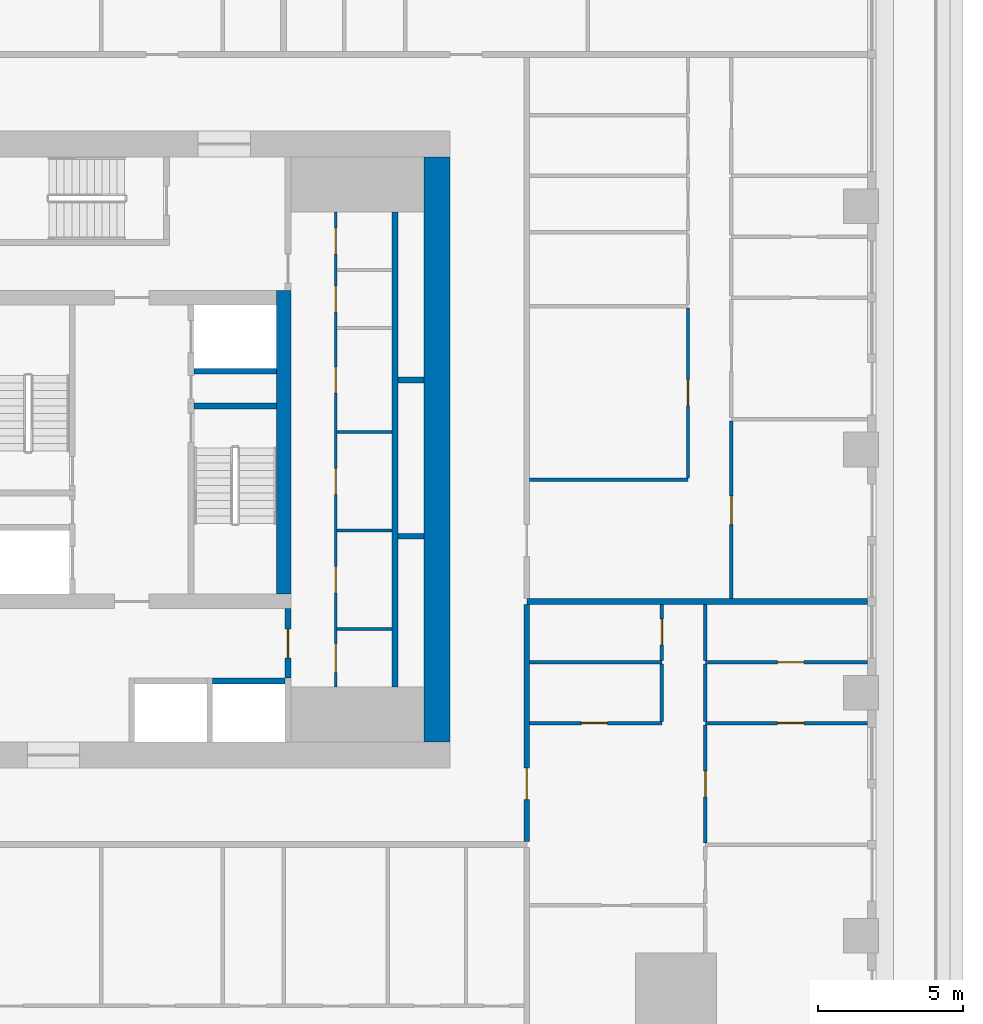
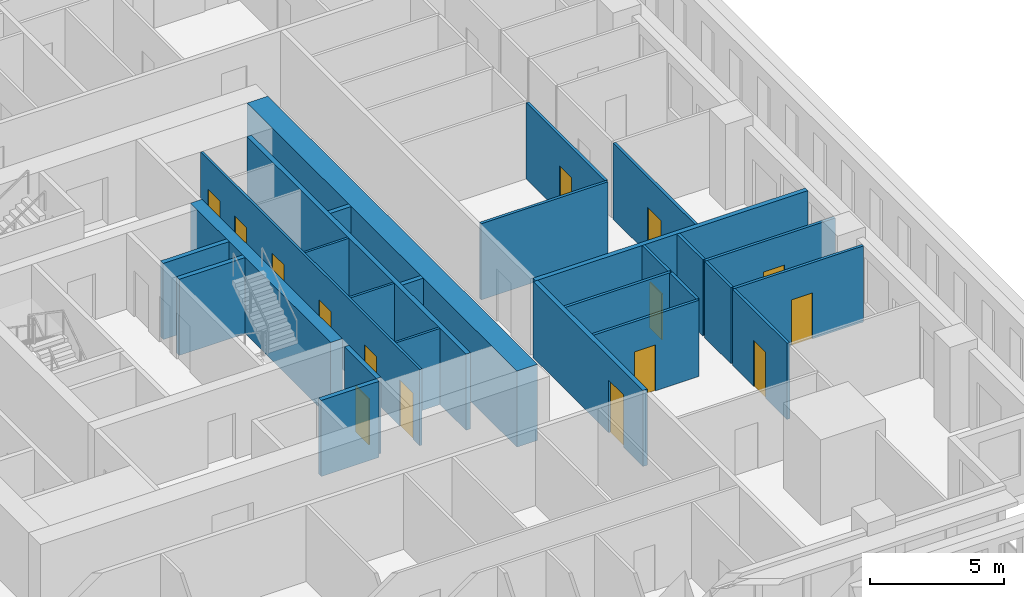
# One storey, part 5 of 14: 27 walls, 15 doors, 15 openings.
"""IFC4 building model written with IfcOpenShell, lengths in metres."""

from ifc_helpers import new_model, si_unit, direction, frame, frame_2d, origin, place, context, subcontext, project, spatial, rectangle, extrude, material, layer, layer_set, type_object, element, fill, save


model = new_model("IFC4")

# Units and contexts
model_context = context("Model", 3, precision=1e-05, world=origin(), true_north=direction((0.0, 1.0)))
body_context = subcontext(model_context, "Body", "Model", "MODEL_VIEW")
ifc_project = project(units=[si_unit("LENGTHUNIT", "METRE"), si_unit("AREAUNIT", "SQUARE_METRE"), si_unit("VOLUMEUNIT", "CUBIC_METRE"), si_unit("PLANEANGLEUNIT", "RADIAN"), si_unit("MASSUNIT", "GRAM", prefix="KILO")], contexts=[model_context])

# Site, building, storey
site_placement = place(None, origin())
site = spatial("IfcSite", under=ifc_project, at=site_placement, CompositionType="ELEMENT")
building_placement = place(site_placement, origin())
building = spatial("IfcBuilding", under=site, at=building_placement, Name="Khepri Terraces", CompositionType="ELEMENT")
storey_placement = place(building_placement, frame((0.0, 0.0, 102.60009765625)))
storey = spatial("IfcBuildingStorey", under=building, at=storey_placement, Name="L24", CompositionType="ELEMENT", Elevation=102.60009765625)

# Walls
ifc_material_1 = material(Name="Concrete C70/85", Category="concrete")
ifc_layer_1 = layer(ifc_material_1, 0.199951171875, Name="Concrete C70/85", Category="concrete")
ifc_layer_set_1 = layer_set([ifc_layer_1], Name="Concrete C70/85")
wall_type_1 = type_object("IfcWallType", Name="Core wall 200 C70/85", PredefinedType="SHEAR", material=ifc_layer_set_1)
wall_1_placement = place(storey_placement, frame((2.14990234375, 1.5, 0.0), z_axis=(0.0, 0.0, 1.0), x_axis=(1.0, 0.0, 0.0)))
element("IfcWall", 1, at=wall_1_placement, inside=storey, type_object=wall_type_1, Name="Core wall ST04 L24", PredefinedType="SHEAR", context=body_context, shape_type="SweptSolid", body=[
    extrude(rectangle(XDim=2.85009765625, YDim=0.199951171875, at=frame_2d((1.425048828125, 0.0))), origin(), (0.0, 0.0, 1.0), 3.47998046875),
])
wall_2_placement = place(storey_placement, frame((9.10009765625, -8.199951171875, 0.0), z_axis=(0.0, 0.0, 1.0), x_axis=(0.0, 1.0, 0.0)))
element("IfcWall", 2, at=wall_2_placement, inside=storey, type_object=wall_type_1, Name="Core wall SH05 L24", PredefinedType="SHEAR", context=body_context, shape_type="SweptSolid", body=[
    extrude(rectangle(XDim=16.39990234375, YDim=0.199951171875, at=frame_2d((8.199951171875, 0.0))), origin(), (0.0, 0.0, 1.0), 3.47998046875),
])
wall_3_placement = place(storey_placement, frame((2.800048828125, -8.0, 0.0), z_axis=(0.0, 0.0, 1.0), x_axis=(1.0, 0.0, 0.0)))
element("IfcWall", 3, at=wall_3_placement, inside=storey, type_object=wall_type_1, Name="Core wall SH07 L24", PredefinedType="SHEAR", context=body_context, shape_type="SweptSolid", body=[
    extrude(rectangle(XDim=2.5, YDim=0.199951171875, at=frame_2d((1.25, 0.0))), origin(), (0.0, 0.0, 1.0), 3.47998046875),
])
for number, where, z_axis, x_axis, name in (
    (4, (9.199951171875, -3.0, 0.0), (0.0, 0.0, 1.0), (1.0, 0.0, 0.0), "Core wall SH11 L24"),
    (5, (9.199951171875, 2.39990234375, 0.0), (0.0, 0.0, 1.0), (1.0, 0.0, 0.0), "Core wall SH16 L24"),
):
    element("IfcWall", number, at=place(storey_placement, frame(where, z_axis=z_axis, x_axis=x_axis)), inside=storey, type_object=wall_type_1, Name=name, PredefinedType="SHEAR", context=body_context, shape_type="SweptSolid", body=[
        extrude(rectangle(XDim=0.900146484375, YDim=0.199951171875, at=frame_2d((0.4501953125, 0.0))), origin(), (0.0, 0.0, 1.0), 3.47998046875),
    ])
wall_4_placement = place(storey_placement, frame((2.14990234375, 2.699951171875, 0.0), z_axis=(0.0, 0.0, 1.0), x_axis=(1.0, 0.0, 0.0)))
element("IfcWall", 6, at=wall_4_placement, inside=storey, type_object=wall_type_1, Name="Core wall SH18 L24", PredefinedType="SHEAR", context=body_context, shape_type="SweptSolid", body=[
    extrude(rectangle(XDim=2.85009765625, YDim=0.199951171875, at=frame_2d((1.425048828125, 0.0))), origin(), (0.0, 0.0, 1.0), 3.47998046875),
])
ifc_layer_2 = layer(ifc_material_1, 0.5, Name="Concrete C70/85", Category="concrete")
ifc_layer_set_2 = layer_set([ifc_layer_2], Name="Concrete C70/85")
wall_type_2 = type_object("IfcWallType", Name="Core wall 500 C70/85", PredefinedType="SHEAR", material=ifc_layer_set_2)
wall_5_placement = place(storey_placement, frame((5.25, -5.0, 0.0), z_axis=(0.0, 0.0, 1.0), x_axis=(0.0, 1.0, 0.0)))
element("IfcWall", 7, at=wall_5_placement, inside=storey, type_object=wall_type_2, Name="Core wall BX03 L24", PredefinedType="SHEAR", context=body_context, shape_type="SweptSolid", body=[
    extrude(rectangle(XDim=10.5, YDim=0.5, at=frame_2d((5.25, 0.0))), origin(), (0.0, 0.0, 1.0), 3.47998046875),
])
ifc_layer_3 = layer(ifc_material_1, 0.89990234375, Name="Concrete C70/85", Category="concrete")
ifc_layer_set_3 = layer_set([ifc_layer_3], Name="Concrete C70/85")
wall_type_3 = type_object("IfcWallType", Name="Core wall 900 C70/85", PredefinedType="SHEAR", material=ifc_layer_set_3)
wall_6_placement = place(storey_placement, frame((10.550048828125, -10.10009765625, 0.0), z_axis=(0.0, 0.0, 1.0), x_axis=(0.0, 1.0, 0.0)))
element("IfcWall", 8, at=wall_6_placement, inside=storey, type_object=wall_type_3, Name="Core wall OW-E L24", PredefinedType="SHEAR", context=body_context, shape_type="SweptSolid", body=[
    extrude(rectangle(XDim=20.2001953125, YDim=0.89990234375, at=frame_2d((10.10009765625, 0.0))), origin(), (0.0, 0.0, 1.0), 3.47998046875),
])

# Wall, openings, doors
ifc_material_2 = material(Name="Fire-rated gypsum board partition")
ifc_layer_4 = layer(ifc_material_2, 0.10009765625, Name="Fire-rated gypsum board partition")
ifc_layer_set_4 = layer_set([ifc_layer_4], Name="Fire-rated gypsum board partition")
wall_type_4 = type_object("IfcWallType", Name="WL-CORE-PART-100", PredefinedType="PARTITIONING", material=ifc_layer_set_4)
wall_7_placement = place(storey_placement, frame((7.050048828125, -8.199951171875, 0.0), z_axis=(0.0, 0.0, 1.0), x_axis=(0.0, 1.0, 0.0)))
wall_7 = element("IfcWall", 9, at=wall_7_placement, inside=storey, type_object=wall_type_4, Name="Core partition PT02 L24", PredefinedType="PARTITIONING", context=body_context, shape_type="SweptSolid", body=[
    extrude(rectangle(XDim=16.39990234375, YDim=0.10009765625, at=frame_2d((8.199951171875, 0.0))), origin(), (0.0, 0.0, 1.0), 3.47998046875),
])
opening_1_placement = place(wall_7_placement, frame((0.5, 0.0, 0.0)))
opening_1 = element("IfcOpeningElement", 10, at=opening_1_placement, cuts=wall_7, Name="Opening L24-C22", PredefinedType="OPENING", context=body_context, shape_type="SweptSolid", body=[
    extrude(rectangle(XDim=1.0, YDim=2.10009765625, at=frame_2d((0.5, 1.050048828125))), frame((0.0, 0.06005859375, 0.0), z_axis=(0.0, -1.0, 0.0), x_axis=(1.0, 0.0, 0.0)), (0.0, 0.0, 1.0), 0.1201171875),
])
opening_2_placement = place(wall_7_placement, frame((3.25, 0.0, 0.0)))
opening_2 = element("IfcOpeningElement", 11, at=opening_2_placement, cuts=wall_7, Name="Opening L24-C23", PredefinedType="OPENING", context=body_context, shape_type="SweptSolid", body=[
    extrude(rectangle(XDim=0.89990234375, YDim=2.10009765625, at=frame_2d((0.449951171875, 1.050048828125))), frame((0.0, 0.06005859375, 0.0), z_axis=(0.0, -1.0, 0.0), x_axis=(1.0, 0.0, 0.0)), (0.0, 0.0, 1.0), 0.1201171875),
])
opening_3_placement = place(wall_7_placement, frame((6.64990234375, 0.0, 0.0)))
opening_3 = element("IfcOpeningElement", 12, at=opening_3_placement, cuts=wall_7, Name="Opening L24-C24", PredefinedType="OPENING", context=body_context, shape_type="SweptSolid", body=[
    extrude(rectangle(XDim=0.89990234375, YDim=2.10009765625, at=frame_2d((0.449951171875, 1.050048828125))), frame((0.0, 0.06005859375, 0.0), z_axis=(0.0, -1.0, 0.0), x_axis=(1.0, 0.0, 0.0)), (0.0, 0.0, 1.0), 0.1201171875),
])
opening_4_placement = place(wall_7_placement, frame((10.14990234375, 0.0, 0.0)))
opening_4 = element("IfcOpeningElement", 13, at=opening_4_placement, cuts=wall_7, Name="Opening L24-C25", PredefinedType="OPENING", context=body_context, shape_type="SweptSolid", body=[
    extrude(rectangle(XDim=0.89990234375, YDim=2.10009765625, at=frame_2d((0.449951171875, 1.050048828125))), frame((0.0, 0.06005859375, 0.0), z_axis=(0.0, -1.0, 0.0), x_axis=(1.0, 0.0, 0.0)), (0.0, 0.0, 1.0), 0.1201171875),
])
opening_5_placement = place(wall_7_placement, frame((12.949951171875, 0.0, 0.0)))
opening_5 = element("IfcOpeningElement", 14, at=opening_5_placement, cuts=wall_7, Name="Opening L24-C26", PredefinedType="OPENING", context=body_context, shape_type="SweptSolid", body=[
    extrude(rectangle(XDim=0.89990234375, YDim=2.10009765625, at=frame_2d((0.449951171875, 1.050048828125))), frame((0.0, 0.06005859375, 0.0), z_axis=(0.0, -1.0, 0.0), x_axis=(1.0, 0.0, 0.0)), (0.0, 0.0, 1.0), 0.1201171875),
])
opening_6_placement = place(wall_7_placement, frame((14.949951171875, 0.0, 0.0)))
opening_6 = element("IfcOpeningElement", 15, at=opening_6_placement, cuts=wall_7, Name="Opening L24-C27", PredefinedType="OPENING", context=body_context, shape_type="SweptSolid", body=[
    extrude(rectangle(XDim=0.89990234375, YDim=2.10009765625, at=frame_2d((0.449951171875, 1.050048828125))), frame((0.0, 0.06005859375, 0.0), z_axis=(0.0, -1.0, 0.0), x_axis=(1.0, 0.0, 0.0)), (0.0, 0.0, 1.0), 0.1201171875),
])
ifc_material_3 = material(Name="Painted steel", Category="steel")
door_type_1 = type_object("IfcDoorType", Name="DR-CORE-SERVICE-900", OperationType="NOTDEFINED", PredefinedType="DOOR", material=ifc_material_3)
door_1_placement = place(opening_2_placement, frame((0.89990234375, 0.0, 0.0), z_axis=(0.0, 0.0, 1.0), x_axis=(-1.0, 0.0, 0.0)))
door_1 = element("IfcDoor", 16, at=door_1_placement, inside=storey, type_object=door_type_1, Name="Service room door L24-C23", OperationType="SINGLE_SWING_RIGHT", OverallHeight=2.10009765625, OverallWidth=0.89990234375, PredefinedType="DOOR", context=body_context, shape_type="SweptSolid", body=[
    extrude(rectangle(XDim=0.89990234375, YDim=2.10009765625, at=frame_2d((0.449951171875, 1.050048828125))), frame((0.0, 0.02490234375, 0.0), z_axis=(0.0, -1.0, 0.0), x_axis=(1.0, 0.0, 0.0)), (0.0, 0.0, 1.0), 0.050048828125),
])
fill(opening_2, door_1)
door_2_placement = place(opening_3_placement, frame((0.89990234375, 0.0, 0.0), z_axis=(0.0, 0.0, 1.0), x_axis=(-1.0, 0.0, 0.0)))
door_2 = element("IfcDoor", 17, at=door_2_placement, inside=storey, type_object=door_type_1, Name="Service room door L24-C24", OperationType="SINGLE_SWING_RIGHT", OverallHeight=2.10009765625, OverallWidth=0.89990234375, PredefinedType="DOOR", context=body_context, shape_type="SweptSolid", body=[
    extrude(rectangle(XDim=0.89990234375, YDim=2.10009765625, at=frame_2d((0.449951171875, 1.050048828125))), frame((0.0, 0.02490234375, 0.0), z_axis=(0.0, -1.0, 0.0), x_axis=(1.0, 0.0, 0.0)), (0.0, 0.0, 1.0), 0.050048828125),
])
fill(opening_3, door_2)
door_3_placement = place(opening_4_placement, frame((0.89990234375, 0.0, 0.0), z_axis=(0.0, 0.0, 1.0), x_axis=(-1.0, 0.0, 0.0)))
door_3 = element("IfcDoor", 18, at=door_3_placement, inside=storey, type_object=door_type_1, Name="Service room door L24-C25", OperationType="SINGLE_SWING_LEFT", OverallHeight=2.10009765625, OverallWidth=0.89990234375, PredefinedType="DOOR", context=body_context, shape_type="SweptSolid", body=[
    extrude(rectangle(XDim=0.89990234375, YDim=2.10009765625, at=frame_2d((0.449951171875, 1.050048828125))), frame((0.0, 0.02490234375, 0.0), z_axis=(0.0, -1.0, 0.0), x_axis=(1.0, 0.0, 0.0)), (0.0, 0.0, 1.0), 0.050048828125),
])
fill(opening_4, door_3)
door_4_placement = place(opening_5_placement, frame((0.89990234375, 0.0, 0.0), z_axis=(0.0, 0.0, 1.0), x_axis=(-1.0, 0.0, 0.0)))
door_4 = element("IfcDoor", 19, at=door_4_placement, inside=storey, type_object=door_type_1, Name="Service room door L24-C26", OperationType="SINGLE_SWING_LEFT", OverallHeight=2.10009765625, OverallWidth=0.89990234375, PredefinedType="DOOR", context=body_context, shape_type="SweptSolid", body=[
    extrude(rectangle(XDim=0.89990234375, YDim=2.10009765625, at=frame_2d((0.449951171875, 1.050048828125))), frame((0.0, 0.02490234375, 0.0), z_axis=(0.0, -1.0, 0.0), x_axis=(1.0, 0.0, 0.0)), (0.0, 0.0, 1.0), 0.050048828125),
])
fill(opening_5, door_4)
door_5_placement = place(opening_6_placement, frame((0.89990234375, 0.0, 0.0), z_axis=(0.0, 0.0, 1.0), x_axis=(-1.0, 0.0, 0.0)))
door_5 = element("IfcDoor", 20, at=door_5_placement, inside=storey, type_object=door_type_1, Name="Service room door L24-C27", OperationType="SINGLE_SWING_LEFT", OverallHeight=2.10009765625, OverallWidth=0.89990234375, PredefinedType="DOOR", context=body_context, shape_type="SweptSolid", body=[
    extrude(rectangle(XDim=0.89990234375, YDim=2.10009765625, at=frame_2d((0.449951171875, 1.050048828125))), frame((0.0, 0.02490234375, 0.0), z_axis=(0.0, -1.0, 0.0), x_axis=(1.0, 0.0, 0.0)), (0.0, 0.0, 1.0), 0.050048828125),
])
fill(opening_6, door_5)
ifc_material_4 = material(Name="Timber veneer", Category="wood")
door_type_2 = type_object("IfcDoorType", Name="DR-CORE-WC-1000", OperationType="NOTDEFINED", PredefinedType="DOOR", material=ifc_material_4)
door_6_placement = place(opening_1_placement, frame((1.0, 0.0, 0.0), z_axis=(0.0, 0.0, 1.0), x_axis=(-1.0, 0.0, 0.0)))
door_6 = element("IfcDoor", 21, at=door_6_placement, inside=storey, type_object=door_type_2, Name="WC door L24-C22", OperationType="SINGLE_SWING_RIGHT", OverallHeight=2.10009765625, OverallWidth=1.0, PredefinedType="DOOR", context=body_context, shape_type="SweptSolid", body=[
    extrude(rectangle(XDim=1.0, YDim=2.10009765625, at=frame_2d((0.5, 1.050048828125))), frame((0.0, 0.02490234375, 0.0), z_axis=(0.0, -1.0, 0.0), x_axis=(1.0, 0.0, 0.0)), (0.0, 0.0, 1.0), 0.050048828125),
])
fill(opening_1, door_6)

# Walls
for number, where, z_axis, x_axis, name in (
    (22, (7.10009765625, -6.199951171875, 0.0), (0.0, 0.0, 1.0), (1.0, 0.0, 0.0), "Core partition PT04 L24"),
    (23, (7.10009765625, -2.800048828125, 0.0), (0.0, 0.0, 1.0), (1.0, 0.0, 0.0), "Core partition PT05 L24"),
    (24, (7.10009765625, 0.60009765625, 0.0), (0.0, 0.0, 1.0), (1.0, 0.0, 0.0), "Core partition PT06 L24"),
):
    element("IfcWall", number, at=place(storey_placement, frame(where, z_axis=z_axis, x_axis=x_axis)), inside=storey, type_object=wall_type_4, Name=name, PredefinedType="PARTITIONING", context=body_context, shape_type="SweptSolid", body=[
        extrude(rectangle(XDim=1.89990234375, YDim=0.10009765625, at=frame_2d((0.949951171875, 0.0))), origin(), (0.0, 0.0, 1.0), 3.47998046875),
    ])

# Wall, opening, door
ifc_layer_5 = layer(ifc_material_2, 0.199951171875, Name="Fire-rated gypsum board partition")
ifc_layer_set_5 = layer_set([ifc_layer_5], Name="Fire-rated gypsum board partition")
wall_type_5 = type_object("IfcWallType", Name="WL-CORE-PART-200", PredefinedType="PARTITIONING", material=ifc_layer_set_5)
wall_8_placement = place(storey_placement, frame((5.39990234375, -7.89990234375, 0.0), z_axis=(0.0, 0.0, 1.0), x_axis=(0.0, 1.0, 0.0)))
wall_8 = element("IfcWall", 25, at=wall_8_placement, inside=storey, type_object=wall_type_5, Name="Core partition PT03 L24", PredefinedType="PARTITIONING", context=body_context, shape_type="SweptSolid", body=[
    extrude(rectangle(XDim=2.39990234375, YDim=0.199951171875, at=frame_2d((1.199951171875, 0.0))), origin(), (0.0, 0.0, 1.0), 3.47998046875),
])
opening_7_placement = place(wall_8_placement, frame((0.699951171875, 0.0, 0.0)))
opening_7 = element("IfcOpeningElement", 26, at=opening_7_placement, cuts=wall_8, Name="Opening L24-C19", PredefinedType="OPENING", context=body_context, shape_type="SweptSolid", body=[
    extrude(rectangle(XDim=1.0, YDim=2.10009765625, at=frame_2d((0.5, 1.050048828125))), frame((0.0, 0.10986328125, 0.0), z_axis=(0.0, -1.0, 0.0), x_axis=(1.0, 0.0, 0.0)), (0.0, 0.0, 1.0), 0.219970703125),
])
door_type_3 = type_object("IfcDoorType", Name="DR-CORE-LOBBY-1000", OperationType="NOTDEFINED", PredefinedType="DOOR", material=ifc_material_3)
door_7_placement = place(opening_7_placement, origin())
door_7 = element("IfcDoor", 27, at=door_7_placement, inside=storey, type_object=door_type_3, Name="Lobby door L24-C19", OperationType="SINGLE_SWING_RIGHT", OverallHeight=2.10009765625, OverallWidth=1.0, PredefinedType="DOOR", context=body_context, shape_type="SweptSolid", body=[
    extrude(rectangle(XDim=1.0, YDim=2.10009765625, at=frame_2d((0.5, 1.050048828125))), frame((0.0, 0.02490234375, 0.0), z_axis=(0.0, -1.0, 0.0), x_axis=(1.0, 0.0, 0.0)), (0.0, 0.0, 1.0), 0.050048828125),
])
fill(opening_7, door_7)

ifc_material_5 = material(Name="Fire-rated gypsum plasterboard partition, mineral wool")
ifc_layer_6 = layer(ifc_material_5, 0.199951171875, Name="Fire-rated gypsum plasterboard partition, mineral wool")
ifc_layer_set_6 = layer_set([ifc_layer_6], Name="Fire-rated gypsum plasterboard partition, mineral wool")
wall_type_6 = type_object("IfcWallType", Name="WL-CORR-200", PredefinedType="PARTITIONING", material=ifc_layer_set_6)
wall_9_placement = place(storey_placement, frame((13.64990234375, -13.550048828125, 0.0), z_axis=(0.0, 0.0, 1.0), x_axis=(0.0, 1.0, 0.0)))
wall_9 = element("IfcWall", 28, at=wall_9_placement, inside=storey, type_object=wall_type_6, Name="Partition P-027 L24", PredefinedType="PARTITIONING", context=body_context, shape_type="SweptSolid", body=[
    extrude(rectangle(XDim=8.199951171875, YDim=0.199951171875, at=frame_2d((4.10009765625, 0.0))), origin(), (0.0, 0.0, 1.0), 3.47998046875),
])
opening_8_placement = place(wall_9_placement, frame((1.449951171875, 0.0, 0.0)))
opening_8 = element("IfcOpeningElement", 29, at=opening_8_placement, cuts=wall_9, Name="Opening D1", PredefinedType="OPENING", context=body_context, shape_type="SweptSolid", body=[
    extrude(rectangle(XDim=1.10009765625, YDim=2.39990234375, at=frame_2d((0.550048828125, 1.199951171875))), frame((0.0, 0.10986328125, 0.0), z_axis=(0.0, -1.0, 0.0), x_axis=(1.0, 0.0, 0.0)), (0.0, 0.0, 1.0), 0.219970703125),
])
ifc_material_6 = material(Name="Solid-core timber door leaf, flat entrance door", Category="wood")
door_type_4 = type_object("IfcDoorType", Name="DR-ENT-1100", OperationType="NOTDEFINED", PredefinedType="DOOR", material=ifc_material_6)
door_8_placement = place(opening_8_placement, frame((1.10009765625, 0.0, 0.0), z_axis=(0.0, 0.0, 1.0), x_axis=(-1.0, 0.0, 0.0)))
door_8 = element("IfcDoor", 30, at=door_8_placement, inside=storey, type_object=door_type_4, Name="Flat B1 entrance door", OperationType="SINGLE_SWING_RIGHT", OverallHeight=2.39990234375, OverallWidth=1.10009765625, PredefinedType="DOOR", context=body_context, shape_type="SweptSolid", body=[
    extrude(rectangle(XDim=1.10009765625, YDim=2.39990234375, at=frame_2d((0.550048828125, 1.199951171875))), frame((0.0, 0.02490234375, 0.0), z_axis=(0.0, -1.0, 0.0), x_axis=(1.0, 0.0, 0.0)), (0.0, 0.0, 1.0), 0.050048828125),
])
fill(opening_8, door_8)

# Wall
wall_10_placement = place(storey_placement, frame((13.64990234375, -5.25, 0.0), z_axis=(0.0, 0.0, 1.0), x_axis=(1.0, 0.0, 0.0)))
element("IfcWall", 31, at=wall_10_placement, inside=storey, type_object=wall_type_6, Name="Partition P-041 L24", PredefinedType="PARTITIONING", context=body_context, shape_type="SweptSolid", body=[
    extrude(rectangle(XDim=11.77001953125, YDim=0.199951171875, at=frame_2d((5.885009765625, 0.0))), origin(), (0.0, 0.0, 1.0), 3.47998046875),
])

# Wall, opening, door
ifc_material_7 = material(Name="Gypsum plasterboard partition")
ifc_layer_7 = layer(ifc_material_7, 0.1201171875, Name="Gypsum plasterboard partition")
ifc_layer_set_7 = layer_set([ifc_layer_7], Name="Gypsum plasterboard partition")
wall_type_7 = type_object("IfcWallType", Name="WL-PART-120", PredefinedType="PARTITIONING", material=ifc_layer_set_7)
wall_11_placement = place(storey_placement, frame((19.820068359375, -13.590087890625, 0.0), z_axis=(0.0, 0.0, 1.0), x_axis=(0.0, 1.0, 0.0)))
wall_11 = element("IfcWall", 32, at=wall_11_placement, inside=storey, type_object=wall_type_7, Name="Partition P-023 L24", PredefinedType="PARTITIONING", context=body_context, shape_type="SweptSolid", body=[
    extrude(rectangle(XDim=4.080078125, YDim=0.1201171875, at=frame_2d((2.0400390625, 0.0))), origin(), (0.0, 0.0, 1.0), 3.47998046875),
])
opening_9_placement = place(wall_11_placement, frame((1.590087890625, 0.0, 0.0)))
opening_9 = element("IfcOpeningElement", 33, at=opening_9_placement, cuts=wall_11, Name="Opening D3", PredefinedType="OPENING", context=body_context, shape_type="SweptSolid", body=[
    extrude(rectangle(XDim=0.89990234375, YDim=2.10009765625, at=frame_2d((0.449951171875, 1.050048828125))), frame((0.0, 0.070068359375, 0.0), z_axis=(0.0, -1.0, 0.0), x_axis=(1.0, 0.0, 0.0)), (0.0, 0.0, 1.0), 0.14013671875),
])
ifc_material_8 = material(Name="Timber door leaf", Category="wood")
door_type_5 = type_object("IfcDoorType", Name="DR-INT-900", OperationType="NOTDEFINED", PredefinedType="DOOR", material=ifc_material_8)
door_9_placement = place(opening_9_placement, frame((0.89990234375, 0.0, 0.0), z_axis=(0.0, 0.0, 1.0), x_axis=(-1.0, 0.0, 0.0)))
door_9 = element("IfcDoor", 34, at=door_9_placement, inside=storey, type_object=door_type_5, Name="Door Master Bedroom", OperationType="SINGLE_SWING_RIGHT", OverallHeight=2.10009765625, OverallWidth=0.89990234375, PredefinedType="DOOR", context=body_context, shape_type="SweptSolid", body=[
    extrude(rectangle(XDim=0.89990234375, YDim=2.10009765625, at=frame_2d((0.449951171875, 1.050048828125))), frame((0.0, 0.02490234375, 0.0), z_axis=(0.0, -1.0, 0.0), x_axis=(1.0, 0.0, 0.0)), (0.0, 0.0, 1.0), 0.050048828125),
])
fill(opening_9, door_9)

wall_12_placement = place(storey_placement, frame((13.75, -9.449951171875, 0.0), z_axis=(0.0, 0.0, 1.0), x_axis=(1.0, 0.0, 0.0)))
wall_12 = element("IfcWall", 35, at=wall_12_placement, inside=storey, type_object=wall_type_7, Name="Partition P-032 L24", PredefinedType="PARTITIONING", context=body_context, shape_type="SweptSolid", body=[
    extrude(rectangle(XDim=4.570068359375, YDim=0.1201171875, at=frame_2d((2.28515625, 0.0))), origin(), (0.0, 0.0, 1.0), 3.47998046875),
])
opening_10_placement = place(wall_12_placement, frame((1.784912109375, 0.0, 0.0)))
opening_10 = element("IfcOpeningElement", 36, at=opening_10_placement, cuts=wall_12, Name="Opening D4", PredefinedType="OPENING", context=body_context, shape_type="SweptSolid", body=[
    extrude(rectangle(XDim=0.89990234375, YDim=2.10009765625, at=frame_2d((0.449951171875, 1.050048828125))), frame((0.0, 0.070068359375, 0.0), z_axis=(0.0, -1.0, 0.0), x_axis=(1.0, 0.0, 0.0)), (0.0, 0.0, 1.0), 0.14013671875),
])
ifc_material_9 = material(Name="Timber door leaf, moisture resistant", Category="wood")
door_type_6 = type_object("IfcDoorType", Name="DR-WET-900", OperationType="NOTDEFINED", PredefinedType="DOOR", material=ifc_material_9)
door_10_placement = place(opening_10_placement, origin())
door_10 = element("IfcDoor", 37, at=door_10_placement, inside=storey, type_object=door_type_6, Name="Door Guest Bathroom", OperationType="SINGLE_SWING_LEFT", OverallHeight=2.10009765625, OverallWidth=0.89990234375, PredefinedType="DOOR", context=body_context, shape_type="SweptSolid", body=[
    extrude(rectangle(XDim=0.89990234375, YDim=2.10009765625, at=frame_2d((0.449951171875, 1.050048828125))), frame((0.0, 0.02490234375, 0.0), z_axis=(0.0, -1.0, 0.0), x_axis=(1.0, 0.0, 0.0)), (0.0, 0.0, 1.0), 0.050048828125),
])
fill(opening_10, door_10)

wall_13_placement = place(storey_placement, frame((19.820068359375, -9.449951171875, 0.0), z_axis=(0.0, 0.0, 1.0), x_axis=(1.0, 0.0, 0.0)))
wall_13 = element("IfcWall", 38, at=wall_13_placement, inside=storey, type_object=wall_type_7, Name="Partition P-033 L24", PredefinedType="PARTITIONING", context=body_context, shape_type="SweptSolid", body=[
    extrude(rectangle(XDim=5.599853515625, YDim=0.1201171875, at=frame_2d((2.7998046875, 0.0))), origin(), (0.0, 0.0, 1.0), 3.47998046875),
])
opening_11_placement = place(wall_13_placement, frame((2.5, 0.0, 0.0)))
opening_11 = element("IfcOpeningElement", 39, at=opening_11_placement, cuts=wall_13, Name="Opening D3", PredefinedType="OPENING", context=body_context, shape_type="SweptSolid", body=[
    extrude(rectangle(XDim=0.89990234375, YDim=2.10009765625, at=frame_2d((0.449951171875, 1.050048828125))), frame((0.0, 0.070068359375, 0.0), z_axis=(0.0, -1.0, 0.0), x_axis=(1.0, 0.0, 0.0)), (0.0, 0.0, 1.0), 0.14013671875),
])
door_11_placement = place(opening_11_placement, origin())
door_11 = element("IfcDoor", 40, at=door_11_placement, inside=storey, type_object=door_type_5, Name="Door Dressing Room", OperationType="SINGLE_SWING_RIGHT", OverallHeight=2.10009765625, OverallWidth=0.89990234375, PredefinedType="DOOR", context=body_context, shape_type="SweptSolid", body=[
    extrude(rectangle(XDim=0.89990234375, YDim=2.10009765625, at=frame_2d((0.449951171875, 1.050048828125))), frame((0.0, 0.02490234375, 0.0), z_axis=(0.0, -1.0, 0.0), x_axis=(1.0, 0.0, 0.0)), (0.0, 0.0, 1.0), 0.050048828125),
])
fill(opening_11, door_11)

# Walls
for number, where, z_axis, x_axis, name in (
    (41, (18.320068359375, -9.389892578125, 0.0), (0.0, 0.0, 1.0), (0.0, 1.0, 0.0), "Partition P-035 L24"),
    (42, (19.820068359375, -9.389892578125, 0.0), (0.0, 0.0, 1.0), (0.0, 1.0, 0.0), "Partition P-036 L24"),
):
    element("IfcWall", number, at=place(storey_placement, frame(where, z_axis=z_axis, x_axis=x_axis)), inside=storey, type_object=wall_type_7, Name=name, PredefinedType="PARTITIONING", context=body_context, shape_type="SweptSolid", body=[
        extrude(rectangle(XDim=1.97998046875, YDim=0.1201171875, at=frame_2d((0.989990234375, 0.0))), origin(), (0.0, 0.0, 1.0), 3.47998046875),
    ])
wall_14_placement = place(storey_placement, frame((13.75, -7.35009765625, 0.0), z_axis=(0.0, 0.0, 1.0), x_axis=(1.0, 0.0, 0.0)))
element("IfcWall", 43, at=wall_14_placement, inside=storey, type_object=wall_type_7, Name="Partition P-037 L24", PredefinedType="PARTITIONING", context=body_context, shape_type="SweptSolid", body=[
    extrude(rectangle(XDim=4.570068359375, YDim=0.1201171875, at=frame_2d((2.28515625, 0.0))), origin(), (0.0, 0.0, 1.0), 3.47998046875),
])

# Wall, opening, door
wall_15_placement = place(storey_placement, frame((19.820068359375, -7.35009765625, 0.0), z_axis=(0.0, 0.0, 1.0), x_axis=(1.0, 0.0, 0.0)))
wall_15 = element("IfcWall", 44, at=wall_15_placement, inside=storey, type_object=wall_type_7, Name="Partition P-038 L24", PredefinedType="PARTITIONING", context=body_context, shape_type="SweptSolid", body=[
    extrude(rectangle(XDim=5.599853515625, YDim=0.1201171875, at=frame_2d((2.7998046875, 0.0))), origin(), (0.0, 0.0, 1.0), 3.47998046875),
])
opening_12_placement = place(wall_15_placement, frame((2.5, 0.0, 0.0)))
opening_12 = element("IfcOpeningElement", 45, at=opening_12_placement, cuts=wall_15, Name="Opening D4", PredefinedType="OPENING", context=body_context, shape_type="SweptSolid", body=[
    extrude(rectangle(XDim=0.89990234375, YDim=2.10009765625, at=frame_2d((0.449951171875, 1.050048828125))), frame((0.0, 0.070068359375, 0.0), z_axis=(0.0, -1.0, 0.0), x_axis=(1.0, 0.0, 0.0)), (0.0, 0.0, 1.0), 0.14013671875),
])
door_12_placement = place(opening_12_placement, origin())
door_12 = element("IfcDoor", 46, at=door_12_placement, inside=storey, type_object=door_type_6, Name="Door Bathroom", OperationType="SINGLE_SWING_RIGHT", OverallHeight=2.10009765625, OverallWidth=0.89990234375, PredefinedType="DOOR", context=body_context, shape_type="SweptSolid", body=[
    extrude(rectangle(XDim=0.89990234375, YDim=2.10009765625, at=frame_2d((0.449951171875, 1.050048828125))), frame((0.0, 0.02490234375, 0.0), z_axis=(0.0, -1.0, 0.0), x_axis=(1.0, 0.0, 0.0)), (0.0, 0.0, 1.0), 0.050048828125),
])
fill(opening_12, door_12)

wall_16_placement = place(storey_placement, frame((18.320068359375, -7.2900390625, 0.0), z_axis=(0.0, 0.0, 1.0), x_axis=(0.0, 1.0, 0.0)))
wall_16 = element("IfcWall", 47, at=wall_16_placement, inside=storey, type_object=wall_type_7, Name="Partition P-039 L24", PredefinedType="PARTITIONING", context=body_context, shape_type="SweptSolid", body=[
    extrude(rectangle(XDim=1.93994140625, YDim=0.1201171875, at=frame_2d((0.969970703125, 0.0))), origin(), (0.0, 0.0, 1.0), 3.47998046875),
])
opening_13_placement = place(wall_16_placement, frame((0.5400390625, 0.0, 0.0)))
opening_13 = element("IfcOpeningElement", 48, at=opening_13_placement, cuts=wall_16, Name="Opening D3", PredefinedType="OPENING", context=body_context, shape_type="SweptSolid", body=[
    extrude(rectangle(XDim=0.89990234375, YDim=2.10009765625, at=frame_2d((0.449951171875, 1.050048828125))), frame((0.0, 0.070068359375, 0.0), z_axis=(0.0, -1.0, 0.0), x_axis=(1.0, 0.0, 0.0)), (0.0, 0.0, 1.0), 0.14013671875),
])
door_13_placement = place(opening_13_placement, origin())
door_13 = element("IfcDoor", 49, at=door_13_placement, inside=storey, type_object=door_type_5, Name="Door Kitchen", OperationType="SINGLE_SWING_RIGHT", OverallHeight=2.10009765625, OverallWidth=0.89990234375, PredefinedType="DOOR", context=body_context, shape_type="SweptSolid", body=[
    extrude(rectangle(XDim=0.89990234375, YDim=2.10009765625, at=frame_2d((0.449951171875, 1.050048828125))), frame((0.0, 0.02490234375, 0.0), z_axis=(0.0, -1.0, 0.0), x_axis=(1.0, 0.0, 0.0)), (0.0, 0.0, 1.0), 0.050048828125),
])
fill(opening_13, door_13)

# Wall
wall_17_placement = place(storey_placement, frame((19.820068359375, -7.2900390625, 0.0), z_axis=(0.0, 0.0, 1.0), x_axis=(0.0, 1.0, 0.0)))
element("IfcWall", 50, at=wall_17_placement, inside=storey, type_object=wall_type_7, Name="Partition P-040 L24", PredefinedType="PARTITIONING", context=body_context, shape_type="SweptSolid", body=[
    extrude(rectangle(XDim=1.93994140625, YDim=0.1201171875, at=frame_2d((0.969970703125, 0.0))), origin(), (0.0, 0.0, 1.0), 3.47998046875),
])

# Wall, opening, door
wall_18_placement = place(storey_placement, frame((20.719970703125, -5.14990234375, 0.0), z_axis=(0.0, 0.0, 1.0), x_axis=(0.0, 1.0, 0.0)))
wall_18 = element("IfcWall", 51, at=wall_18_placement, inside=storey, type_object=wall_type_7, Name="Partition P-043 L24", PredefinedType="PARTITIONING", context=body_context, shape_type="SweptSolid", body=[
    extrude(rectangle(XDim=6.139892578125, YDim=0.1201171875, at=frame_2d((3.06982421875, 0.0))), origin(), (0.0, 0.0, 1.0), 3.47998046875),
])
opening_14_placement = place(wall_18_placement, frame((2.550048828125, 0.0, 0.0)))
opening_14 = element("IfcOpeningElement", 52, at=opening_14_placement, cuts=wall_18, Name="Opening D2", PredefinedType="OPENING", context=body_context, shape_type="SweptSolid", body=[
    extrude(rectangle(XDim=1.0, YDim=2.10009765625, at=frame_2d((0.5, 1.050048828125))), frame((0.0, 0.070068359375, 0.0), z_axis=(0.0, -1.0, 0.0), x_axis=(1.0, 0.0, 0.0)), (0.0, 0.0, 1.0), 0.14013671875),
])
ifc_material_10 = material(Name="Timber door leaf, living room door", Category="wood")
door_type_7 = type_object("IfcDoorType", Name="DR-INT-1000", OperationType="NOTDEFINED", PredefinedType="DOOR", material=ifc_material_10)
door_14_placement = place(opening_14_placement, frame((1.0, 0.0, 0.0), z_axis=(0.0, 0.0, 1.0), x_axis=(-1.0, 0.0, 0.0)))
door_14 = element("IfcDoor", 53, at=door_14_placement, inside=storey, type_object=door_type_7, Name="Door Living Room", OperationType="SINGLE_SWING_RIGHT", OverallHeight=2.10009765625, OverallWidth=1.0, PredefinedType="DOOR", context=body_context, shape_type="SweptSolid", body=[
    extrude(rectangle(XDim=1.0, YDim=2.10009765625, at=frame_2d((0.5, 1.050048828125))), frame((0.0, 0.02490234375, 0.0), z_axis=(0.0, -1.0, 0.0), x_axis=(1.0, 0.0, 0.0)), (0.0, 0.0, 1.0), 0.050048828125),
])
fill(opening_14, door_14)

# Wall
wall_19_placement = place(storey_placement, frame((13.75, -1.050048828125, 0.0), z_axis=(0.0, 0.0, 1.0), x_axis=(1.0, 0.0, 0.0)))
element("IfcWall", 54, at=wall_19_placement, inside=storey, type_object=wall_type_7, Name="Partition P-046 L24", PredefinedType="PARTITIONING", context=body_context, shape_type="SweptSolid", body=[
    extrude(rectangle(XDim=5.469970703125, YDim=0.1201171875, at=frame_2d((2.73486328125, 0.0))), origin(), (0.0, 0.0, 1.0), 3.47998046875),
])

# Wall, opening, door
wall_20_placement = place(storey_placement, frame((19.219970703125, -0.989990234375, 0.0), z_axis=(0.0, 0.0, 1.0), x_axis=(0.0, 1.0, 0.0)))
wall_20 = element("IfcWall", 55, at=wall_20_placement, inside=storey, type_object=wall_type_7, Name="Partition P-047 L24", PredefinedType="PARTITIONING", context=body_context, shape_type="SweptSolid", body=[
    extrude(rectangle(XDim=5.8798828125, YDim=0.1201171875, at=frame_2d((2.93994140625, 0.0))), origin(), (0.0, 0.0, 1.0), 3.47998046875),
])
opening_15_placement = place(wall_20_placement, frame((2.489990234375, 0.0, 0.0)))
opening_15 = element("IfcOpeningElement", 56, at=opening_15_placement, cuts=wall_20, Name="Opening D3", PredefinedType="OPENING", context=body_context, shape_type="SweptSolid", body=[
    extrude(rectangle(XDim=0.89990234375, YDim=2.10009765625, at=frame_2d((0.449951171875, 1.050048828125))), frame((0.0, 0.070068359375, 0.0), z_axis=(0.0, -1.0, 0.0), x_axis=(1.0, 0.0, 0.0)), (0.0, 0.0, 1.0), 0.14013671875),
])
door_15_placement = place(opening_15_placement, origin())
door_15 = element("IfcDoor", 57, at=door_15_placement, inside=storey, type_object=door_type_5, Name="Door Kitchen", OperationType="SINGLE_SWING_RIGHT", OverallHeight=2.10009765625, OverallWidth=0.89990234375, PredefinedType="DOOR", context=body_context, shape_type="SweptSolid", body=[
    extrude(rectangle(XDim=0.89990234375, YDim=2.10009765625, at=frame_2d((0.449951171875, 1.050048828125))), frame((0.0, 0.02490234375, 0.0), z_axis=(0.0, -1.0, 0.0), x_axis=(1.0, 0.0, 0.0)), (0.0, 0.0, 1.0), 0.050048828125),
])
fill(opening_15, door_15)

save(model, "model.ifc")
